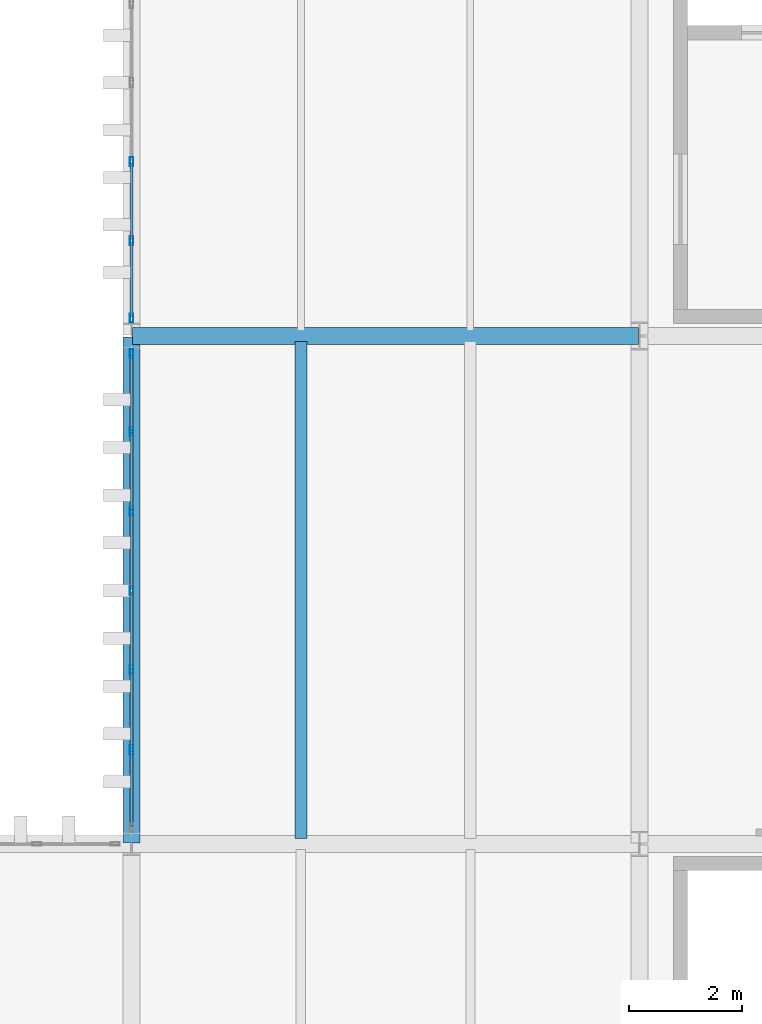
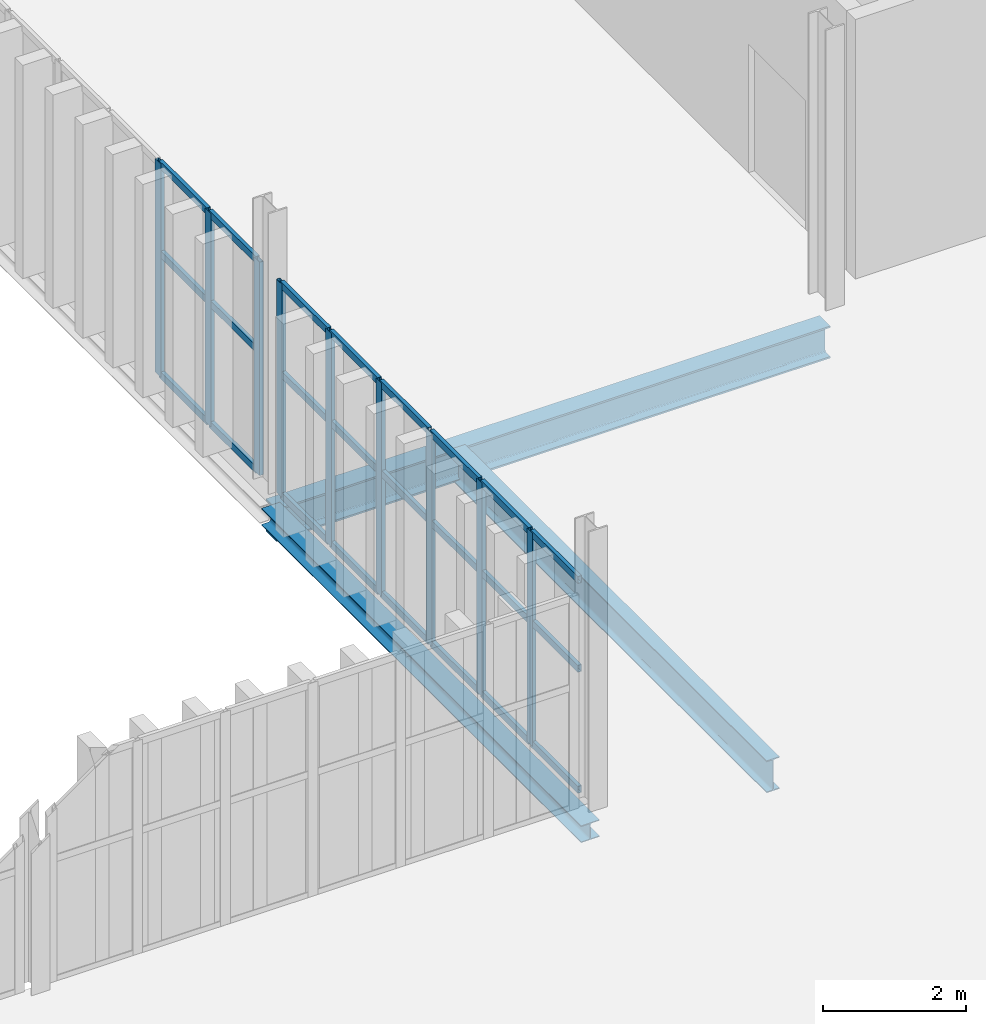
# One storey, part 138 of 196: 33 members, 3 beams, 2 elements without a shape of their own.
"""IFC4 building model written with IfcOpenShell, lengths in metres."""

from ifc_helpers import new_model, si_unit, direction, frame, origin, origin_2d, place, context, subcontext, project, spatial, hollow_rectangle, i_section, extrude, material, layer, layer_set, material_profile, profile_set, type_object, element, aggregate, save


model = new_model("IFC4")

# Units and contexts
model_context = context("Model", 3, precision=1e-05, world=origin(), true_north=direction((0.0, 1.0)))
body_context = subcontext(model_context, "Body", "Model", "MODEL_VIEW")
ifc_project = project(units=[si_unit("LENGTHUNIT", "METRE"), si_unit("AREAUNIT", "SQUARE_METRE"), si_unit("VOLUMEUNIT", "CUBIC_METRE"), si_unit("PLANEANGLEUNIT", "RADIAN"), si_unit("MASSUNIT", "GRAM", prefix="KILO")], contexts=[model_context])

# Site, building, storey
site_placement = place(None, origin())
site = spatial("IfcSite", under=ifc_project, at=site_placement, CompositionType="ELEMENT")
building_placement = place(site_placement, origin())
building = spatial("IfcBuilding", under=site, at=building_placement, Name="Barlavento Convention Centre", CompositionType="ELEMENT")
storey_placement = place(building_placement, frame((0.0, 0.0, 18.0)))
storey = spatial("IfcBuildingStorey", under=building, at=storey_placement, Name="L03", CompositionType="ELEMENT", Elevation=18.0)

# Curtain wall, members
ifc_material_1 = material(Name="Powder-coated aluminium and Low-E glass", Category="aluminium")
ifc_layer = layer(ifc_material_1, 0.179931640625)
ifc_layer_set = layer_set([ifc_layer], Name="ARC-CW-PATIO-B")
curtain_wall_type = type_object("IfcCurtainWallType", Name="ARC-CW-PATIO-B", PredefinedType="NOTDEFINED", material=ifc_layer_set)
curtain_wall_1_placement = place(storey_placement, origin())
curtain_wall_1 = element("IfcCurtainWall", 1, at=curtain_wall_1_placement, inside=storey, type_object=curtain_wall_type, Name="L03 unitised curtain wall CW12", PredefinedType="NOTDEFINED")
ifc_material_2 = material(Name="Powder-coated aluminium", Category="aluminium")
ifc_material_profile_1 = material_profile(ifc_material_2, hollow_rectangle(XDim=0.06005859375, YDim=0.159912109375, WallThickness=0.00390625, at=origin_2d()), Name="AL-MULL 60x160x4")
ifc_profile_set_1 = profile_set([ifc_material_profile_1], Name="Powder-coated aluminium")
member_type_1 = type_object("IfcMemberType", Name="ARC-CWM-60X160", PredefinedType="MULLION", material=ifc_profile_set_1)
member_1_placement = place(storey_placement, frame((171.0, 64.669189453125, 0.0), z_axis=(0.0, 0.0, 1.0), x_axis=(-1.0, 0.0, 0.0)))
member_1 = element("IfcMember", 2, at=member_1_placement, type_object=member_type_1, Name="CW12 mullion 2", PredefinedType="MULLION", context=body_context, shape_type="SweptSolid", body=[
    extrude(hollow_rectangle(XDim=0.06005859375, YDim=0.159912109375, WallThickness=0.00390625, at=origin_2d()), origin(), (0.0, 0.0, 1.0), 3.64990234375),
])
member_2_placement = place(storey_placement, frame((171.0, 66.078369140625, 0.0), z_axis=(0.0, 0.0, 1.0), x_axis=(-1.0, 0.0, 0.0)))
member_2 = element("IfcMember", 3, at=member_2_placement, type_object=member_type_1, Name="CW12 mullion 3", PredefinedType="MULLION", context=body_context, shape_type="SweptSolid", body=[
    extrude(hollow_rectangle(XDim=0.06005859375, YDim=0.159912109375, WallThickness=0.00390625, at=origin_2d()), origin(), (0.0, 0.0, 1.0), 3.64990234375),
])
member_3_placement = place(storey_placement, frame((171.0, 67.487548828125, 0.0), z_axis=(0.0, 0.0, 1.0), x_axis=(-1.0, 0.0, 0.0)))
member_3 = element("IfcMember", 4, at=member_3_placement, type_object=member_type_1, Name="CW12 mullion 4", PredefinedType="MULLION", context=body_context, shape_type="SweptSolid", body=[
    extrude(hollow_rectangle(XDim=0.06005859375, YDim=0.159912109375, WallThickness=0.00390625, at=origin_2d()), origin(), (0.0, 0.0, 1.0), 3.64990234375),
])
member_4_placement = place(storey_placement, frame((171.0, 68.896728515625, 0.0), z_axis=(0.0, 0.0, 1.0), x_axis=(-1.0, 0.0, 0.0)))
member_4 = element("IfcMember", 5, at=member_4_placement, type_object=member_type_1, Name="CW12 mullion 5", PredefinedType="MULLION", context=body_context, shape_type="SweptSolid", body=[
    extrude(hollow_rectangle(XDim=0.06005859375, YDim=0.159912109375, WallThickness=0.00390625, at=origin_2d()), origin(), (0.0, 0.0, 1.0), 3.64990234375),
])
member_5_placement = place(storey_placement, frame((171.0, 70.305908203125, 0.0), z_axis=(0.0, 0.0, 1.0), x_axis=(-1.0, 0.0, 0.0)))
member_5 = element("IfcMember", 6, at=member_5_placement, type_object=member_type_1, Name="CW12 mullion 6", PredefinedType="MULLION", context=body_context, shape_type="SweptSolid", body=[
    extrude(hollow_rectangle(XDim=0.06005859375, YDim=0.159912109375, WallThickness=0.00390625, at=origin_2d()), origin(), (0.0, 0.0, 1.0), 3.64990234375),
])
member_6_placement = place(storey_placement, frame((171.0, 71.68505859375, 0.0), z_axis=(0.0, 0.0, 1.0), x_axis=(-1.0, 0.0, 0.0)))
member_6 = element("IfcMember", 7, at=member_6_placement, type_object=member_type_1, Name="CW12 mullion 7", PredefinedType="MULLION", context=body_context, shape_type="SweptSolid", body=[
    extrude(hollow_rectangle(XDim=0.06005859375, YDim=0.159912109375, WallThickness=0.00390625, at=origin_2d()), origin(), (0.0, 0.0, 1.0), 3.64990234375),
])

curtain_wall_2_placement = place(storey_placement, origin())
curtain_wall_2 = element("IfcCurtainWall", 8, at=curtain_wall_2_placement, inside=storey, type_object=curtain_wall_type, Name="L03 unitised curtain wall CW12", PredefinedType="NOTDEFINED")
member_7_placement = place(storey_placement, frame((171.0, 72.31494140625, 0.0), z_axis=(0.0, 0.0, 1.0), x_axis=(-1.0, 0.0, 0.0)))
member_7 = element("IfcMember", 9, at=member_7_placement, type_object=member_type_1, Name="CW12 mullion 1", PredefinedType="MULLION", context=body_context, shape_type="SweptSolid", body=[
    extrude(hollow_rectangle(XDim=0.06005859375, YDim=0.159912109375, WallThickness=0.00390625, at=origin_2d()), origin(), (0.0, 0.0, 1.0), 3.64990234375),
])
member_8_placement = place(storey_placement, frame((171.0, 73.685791015625, 0.0), z_axis=(0.0, 0.0, 1.0), x_axis=(-1.0, 0.0, 0.0)))
member_8 = element("IfcMember", 10, at=member_8_placement, type_object=member_type_1, Name="CW12 mullion 2", PredefinedType="MULLION", context=body_context, shape_type="SweptSolid", body=[
    extrude(hollow_rectangle(XDim=0.06005859375, YDim=0.159912109375, WallThickness=0.00390625, at=origin_2d()), origin(), (0.0, 0.0, 1.0), 3.64990234375),
])
member_9_placement = place(storey_placement, frame((171.0, 75.086669921875, 0.0), z_axis=(0.0, 0.0, 1.0), x_axis=(-1.0, 0.0, 0.0)))
member_9 = element("IfcMember", 11, at=member_9_placement, type_object=member_type_1, Name="CW12 mullion 3", PredefinedType="MULLION", context=body_context, shape_type="SweptSolid", body=[
    extrude(hollow_rectangle(XDim=0.06005859375, YDim=0.159912109375, WallThickness=0.00390625, at=origin_2d()), origin(), (0.0, 0.0, 1.0), 3.64990234375),
])

# Member
ifc_material_profile_2 = material_profile(ifc_material_2, hollow_rectangle(XDim=0.06005859375, YDim=0.1201171875, WallThickness=0.00390625, at=origin_2d()), Name="AL-TRAN 60x120x4")
ifc_profile_set_2 = profile_set([ifc_material_profile_2], Name="Powder-coated aluminium")
member_type_2 = type_object("IfcMemberType", Name="ARC-CWT-60X120", PredefinedType="USERDEFINED", material=ifc_profile_set_2)
member_10_placement = place(storey_placement, frame((171.0, 63.320068359375, 0.030029296875), z_axis=(0.0, 1.0, 0.0), x_axis=(-1.0, 0.0, 0.0)))
member_10 = element("IfcMember", 12, at=member_10_placement, type_object=member_type_2, Name="CW12 transom 1.1", ObjectType="TRANSOM", PredefinedType="USERDEFINED", context=body_context, shape_type="SweptSolid", body=[
    extrude(hollow_rectangle(XDim=0.06005859375, YDim=0.1201171875, WallThickness=0.00390625, at=origin_2d()), origin(), (0.0, 0.0, 1.0), 1.319091796875),
])

member_11_placement = place(storey_placement, frame((171.0, 63.320068359375, 2.10009765625), z_axis=(0.0, 1.0, 0.0), x_axis=(-1.0, 0.0, 0.0)))
member_11 = element("IfcMember", 13, at=member_11_placement, type_object=member_type_2, Name="CW12 transom 1.2", ObjectType="TRANSOM", PredefinedType="USERDEFINED", context=body_context, shape_type="SweptSolid", body=[
    extrude(hollow_rectangle(XDim=0.06005859375, YDim=0.1201171875, WallThickness=0.00390625, at=origin_2d()), origin(), (0.0, 0.0, 1.0), 1.319091796875),
])

member_12_placement = place(storey_placement, frame((171.0, 63.320068359375, 3.6201171875), z_axis=(0.0, 1.0, 0.0), x_axis=(-1.0, 0.0, 0.0)))
member_12 = element("IfcMember", 14, at=member_12_placement, type_object=member_type_2, Name="CW12 transom 1.3", ObjectType="TRANSOM", PredefinedType="USERDEFINED", context=body_context, shape_type="SweptSolid", body=[
    extrude(hollow_rectangle(XDim=0.06005859375, YDim=0.1201171875, WallThickness=0.00390625, at=origin_2d()), origin(), (0.0, 0.0, 1.0), 1.319091796875),
])

member_13_placement = place(storey_placement, frame((171.0, 64.69921875, 0.030029296875), z_axis=(0.0, 1.0, 0.0), x_axis=(-1.0, 0.0, 0.0)))
member_13 = element("IfcMember", 15, at=member_13_placement, type_object=member_type_2, Name="CW12 transom 2.1", ObjectType="TRANSOM", PredefinedType="USERDEFINED", context=body_context, shape_type="SweptSolid", body=[
    extrude(hollow_rectangle(XDim=0.06005859375, YDim=0.1201171875, WallThickness=0.00390625, at=origin_2d()), origin(), (0.0, 0.0, 1.0), 1.34912109375),
])

member_14_placement = place(storey_placement, frame((171.0, 64.69921875, 2.10009765625), z_axis=(0.0, 1.0, 0.0), x_axis=(-1.0, 0.0, 0.0)))
member_14 = element("IfcMember", 16, at=member_14_placement, type_object=member_type_2, Name="CW12 transom 2.2", ObjectType="TRANSOM", PredefinedType="USERDEFINED", context=body_context, shape_type="SweptSolid", body=[
    extrude(hollow_rectangle(XDim=0.06005859375, YDim=0.1201171875, WallThickness=0.00390625, at=origin_2d()), origin(), (0.0, 0.0, 1.0), 1.34912109375),
])

member_15_placement = place(storey_placement, frame((171.0, 64.69921875, 3.6201171875), z_axis=(0.0, 1.0, 0.0), x_axis=(-1.0, 0.0, 0.0)))
member_15 = element("IfcMember", 17, at=member_15_placement, type_object=member_type_2, Name="CW12 transom 2.3", ObjectType="TRANSOM", PredefinedType="USERDEFINED", context=body_context, shape_type="SweptSolid", body=[
    extrude(hollow_rectangle(XDim=0.06005859375, YDim=0.1201171875, WallThickness=0.00390625, at=origin_2d()), origin(), (0.0, 0.0, 1.0), 1.34912109375),
])

member_16_placement = place(storey_placement, frame((171.0, 66.1083984375, 0.030029296875), z_axis=(0.0, 1.0, 0.0), x_axis=(-1.0, 0.0, 0.0)))
member_16 = element("IfcMember", 18, at=member_16_placement, type_object=member_type_2, Name="CW12 transom 3.1", ObjectType="TRANSOM", PredefinedType="USERDEFINED", context=body_context, shape_type="SweptSolid", body=[
    extrude(hollow_rectangle(XDim=0.06005859375, YDim=0.1201171875, WallThickness=0.00390625, at=origin_2d()), origin(), (0.0, 0.0, 1.0), 1.34912109375),
])

member_17_placement = place(storey_placement, frame((171.0, 66.1083984375, 2.10009765625), z_axis=(0.0, 1.0, 0.0), x_axis=(-1.0, 0.0, 0.0)))
member_17 = element("IfcMember", 19, at=member_17_placement, type_object=member_type_2, Name="CW12 transom 3.2", ObjectType="TRANSOM", PredefinedType="USERDEFINED", context=body_context, shape_type="SweptSolid", body=[
    extrude(hollow_rectangle(XDim=0.06005859375, YDim=0.1201171875, WallThickness=0.00390625, at=origin_2d()), origin(), (0.0, 0.0, 1.0), 1.34912109375),
])

member_18_placement = place(storey_placement, frame((171.0, 66.1083984375, 3.6201171875), z_axis=(0.0, 1.0, 0.0), x_axis=(-1.0, 0.0, 0.0)))
member_18 = element("IfcMember", 20, at=member_18_placement, type_object=member_type_2, Name="CW12 transom 3.3", ObjectType="TRANSOM", PredefinedType="USERDEFINED", context=body_context, shape_type="SweptSolid", body=[
    extrude(hollow_rectangle(XDim=0.06005859375, YDim=0.1201171875, WallThickness=0.00390625, at=origin_2d()), origin(), (0.0, 0.0, 1.0), 1.34912109375),
])

member_19_placement = place(storey_placement, frame((171.0, 67.517578125, 0.030029296875), z_axis=(0.0, 1.0, 0.0), x_axis=(-1.0, 0.0, 0.0)))
member_19 = element("IfcMember", 21, at=member_19_placement, type_object=member_type_2, Name="CW12 transom 4.1", ObjectType="TRANSOM", PredefinedType="USERDEFINED", context=body_context, shape_type="SweptSolid", body=[
    extrude(hollow_rectangle(XDim=0.06005859375, YDim=0.1201171875, WallThickness=0.00390625, at=origin_2d()), origin(), (0.0, 0.0, 1.0), 1.34912109375),
])

member_20_placement = place(storey_placement, frame((171.0, 67.517578125, 2.10009765625), z_axis=(0.0, 1.0, 0.0), x_axis=(-1.0, 0.0, 0.0)))
member_20 = element("IfcMember", 22, at=member_20_placement, type_object=member_type_2, Name="CW12 transom 4.2", ObjectType="TRANSOM", PredefinedType="USERDEFINED", context=body_context, shape_type="SweptSolid", body=[
    extrude(hollow_rectangle(XDim=0.06005859375, YDim=0.1201171875, WallThickness=0.00390625, at=origin_2d()), origin(), (0.0, 0.0, 1.0), 1.34912109375),
])

member_21_placement = place(storey_placement, frame((171.0, 67.517578125, 3.6201171875), z_axis=(0.0, 1.0, 0.0), x_axis=(-1.0, 0.0, 0.0)))
member_21 = element("IfcMember", 23, at=member_21_placement, type_object=member_type_2, Name="CW12 transom 4.3", ObjectType="TRANSOM", PredefinedType="USERDEFINED", context=body_context, shape_type="SweptSolid", body=[
    extrude(hollow_rectangle(XDim=0.06005859375, YDim=0.1201171875, WallThickness=0.00390625, at=origin_2d()), origin(), (0.0, 0.0, 1.0), 1.34912109375),
])

member_22_placement = place(storey_placement, frame((171.0, 68.9267578125, 0.030029296875), z_axis=(0.0, 1.0, 0.0), x_axis=(-1.0, 0.0, 0.0)))
member_22 = element("IfcMember", 24, at=member_22_placement, type_object=member_type_2, Name="CW12 transom 5.1", ObjectType="TRANSOM", PredefinedType="USERDEFINED", context=body_context, shape_type="SweptSolid", body=[
    extrude(hollow_rectangle(XDim=0.06005859375, YDim=0.1201171875, WallThickness=0.00390625, at=origin_2d()), origin(), (0.0, 0.0, 1.0), 1.34912109375),
])

member_23_placement = place(storey_placement, frame((171.0, 68.9267578125, 2.10009765625), z_axis=(0.0, 1.0, 0.0), x_axis=(-1.0, 0.0, 0.0)))
member_23 = element("IfcMember", 25, at=member_23_placement, type_object=member_type_2, Name="CW12 transom 5.2", ObjectType="TRANSOM", PredefinedType="USERDEFINED", context=body_context, shape_type="SweptSolid", body=[
    extrude(hollow_rectangle(XDim=0.06005859375, YDim=0.1201171875, WallThickness=0.00390625, at=origin_2d()), origin(), (0.0, 0.0, 1.0), 1.34912109375),
])

member_24_placement = place(storey_placement, frame((171.0, 68.9267578125, 3.6201171875), z_axis=(0.0, 1.0, 0.0), x_axis=(-1.0, 0.0, 0.0)))
member_24 = element("IfcMember", 26, at=member_24_placement, type_object=member_type_2, Name="CW12 transom 5.3", ObjectType="TRANSOM", PredefinedType="USERDEFINED", context=body_context, shape_type="SweptSolid", body=[
    extrude(hollow_rectangle(XDim=0.06005859375, YDim=0.1201171875, WallThickness=0.00390625, at=origin_2d()), origin(), (0.0, 0.0, 1.0), 1.34912109375),
])

member_25_placement = place(storey_placement, frame((171.0, 70.3359375, 0.030029296875), z_axis=(0.0, 1.0, 0.0), x_axis=(-1.0, 0.0, 0.0)))
member_25 = element("IfcMember", 27, at=member_25_placement, type_object=member_type_2, Name="CW12 transom 6.1", ObjectType="TRANSOM", PredefinedType="USERDEFINED", context=body_context, shape_type="SweptSolid", body=[
    extrude(hollow_rectangle(XDim=0.06005859375, YDim=0.1201171875, WallThickness=0.00390625, at=origin_2d()), origin(), (0.0, 0.0, 1.0), 1.319091796875),
])

member_26_placement = place(storey_placement, frame((171.0, 70.3359375, 2.10009765625), z_axis=(0.0, 1.0, 0.0), x_axis=(-1.0, 0.0, 0.0)))
member_26 = element("IfcMember", 28, at=member_26_placement, type_object=member_type_2, Name="CW12 transom 6.2", ObjectType="TRANSOM", PredefinedType="USERDEFINED", context=body_context, shape_type="SweptSolid", body=[
    extrude(hollow_rectangle(XDim=0.06005859375, YDim=0.1201171875, WallThickness=0.00390625, at=origin_2d()), origin(), (0.0, 0.0, 1.0), 1.319091796875),
])

member_27_placement = place(storey_placement, frame((171.0, 70.3359375, 3.6201171875), z_axis=(0.0, 1.0, 0.0), x_axis=(-1.0, 0.0, 0.0)))
member_27 = element("IfcMember", 29, at=member_27_placement, type_object=member_type_2, Name="CW12 transom 6.3", ObjectType="TRANSOM", PredefinedType="USERDEFINED", context=body_context, shape_type="SweptSolid", body=[
    extrude(hollow_rectangle(XDim=0.06005859375, YDim=0.1201171875, WallThickness=0.00390625, at=origin_2d()), origin(), (0.0, 0.0, 1.0), 1.319091796875),
])

aggregate(curtain_wall_1, [member_1, member_2, member_3, member_4, member_5, member_6, member_10, member_11, member_12, member_13, member_14, member_15, member_16, member_17, member_18, member_19, member_20, member_21, member_22, member_23, member_24, member_25, member_26, member_27])

member_28_placement = place(storey_placement, frame((171.0, 72.344970703125, 0.030029296875), z_axis=(0.0, 1.0, 0.0), x_axis=(-1.0, 0.0, 0.0)))
member_28 = element("IfcMember", 30, at=member_28_placement, type_object=member_type_2, Name="CW12 transom 1.1", ObjectType="TRANSOM", PredefinedType="USERDEFINED", context=body_context, shape_type="SweptSolid", body=[
    extrude(hollow_rectangle(XDim=0.06005859375, YDim=0.1201171875, WallThickness=0.00390625, at=origin_2d()), origin(), (0.0, 0.0, 1.0), 1.310791015625),
])

member_29_placement = place(storey_placement, frame((171.0, 72.344970703125, 2.10009765625), z_axis=(0.0, 1.0, 0.0), x_axis=(-1.0, 0.0, 0.0)))
member_29 = element("IfcMember", 31, at=member_29_placement, type_object=member_type_2, Name="CW12 transom 1.2", ObjectType="TRANSOM", PredefinedType="USERDEFINED", context=body_context, shape_type="SweptSolid", body=[
    extrude(hollow_rectangle(XDim=0.06005859375, YDim=0.1201171875, WallThickness=0.00390625, at=origin_2d()), origin(), (0.0, 0.0, 1.0), 1.310791015625),
])

member_30_placement = place(storey_placement, frame((171.0, 72.344970703125, 3.6201171875), z_axis=(0.0, 1.0, 0.0), x_axis=(-1.0, 0.0, 0.0)))
member_30 = element("IfcMember", 32, at=member_30_placement, type_object=member_type_2, Name="CW12 transom 1.3", ObjectType="TRANSOM", PredefinedType="USERDEFINED", context=body_context, shape_type="SweptSolid", body=[
    extrude(hollow_rectangle(XDim=0.06005859375, YDim=0.1201171875, WallThickness=0.00390625, at=origin_2d()), origin(), (0.0, 0.0, 1.0), 1.310791015625),
])

member_31_placement = place(storey_placement, frame((171.0, 73.7158203125, 0.030029296875), z_axis=(0.0, 1.0, 0.0), x_axis=(-1.0, 0.0, 0.0)))
member_31 = element("IfcMember", 33, at=member_31_placement, type_object=member_type_2, Name="CW12 transom 2.1", ObjectType="TRANSOM", PredefinedType="USERDEFINED", context=body_context, shape_type="SweptSolid", body=[
    extrude(hollow_rectangle(XDim=0.06005859375, YDim=0.1201171875, WallThickness=0.00390625, at=origin_2d()), origin(), (0.0, 0.0, 1.0), 1.3408203125),
])

member_32_placement = place(storey_placement, frame((171.0, 73.7158203125, 2.10009765625), z_axis=(0.0, 1.0, 0.0), x_axis=(-1.0, 0.0, 0.0)))
member_32 = element("IfcMember", 34, at=member_32_placement, type_object=member_type_2, Name="CW12 transom 2.2", ObjectType="TRANSOM", PredefinedType="USERDEFINED", context=body_context, shape_type="SweptSolid", body=[
    extrude(hollow_rectangle(XDim=0.06005859375, YDim=0.1201171875, WallThickness=0.00390625, at=origin_2d()), origin(), (0.0, 0.0, 1.0), 1.3408203125),
])

member_33_placement = place(storey_placement, frame((171.0, 73.7158203125, 3.6201171875), z_axis=(0.0, 1.0, 0.0), x_axis=(-1.0, 0.0, 0.0)))
member_33 = element("IfcMember", 35, at=member_33_placement, type_object=member_type_2, Name="CW12 transom 2.3", ObjectType="TRANSOM", PredefinedType="USERDEFINED", context=body_context, shape_type="SweptSolid", body=[
    extrude(hollow_rectangle(XDim=0.06005859375, YDim=0.1201171875, WallThickness=0.00390625, at=origin_2d()), origin(), (0.0, 0.0, 1.0), 1.3408203125),
])

aggregate(curtain_wall_2, [member_7, member_8, member_9, member_28, member_29, member_30, member_31, member_32, member_33])

# Beams
ifc_material_3 = material(Name="Steel S355", Category="steel")
ifc_material_profile_3 = material_profile(ifc_material_3, i_section(OverallWidth=0.2099609375, OverallDepth=0.550048828125, WebThickness=0.010986328125, FlangeThickness=0.01708984375, FilletRadius=0.02392578125, at=origin_2d()), Name="IPE 550")
ifc_profile_set_3 = profile_set([ifc_material_profile_3], Name="Steel S355")
beam_type_1 = type_object("IfcBeamType", Name="STR-BM-JST-IPE550", PredefinedType="JOIST", material=ifc_profile_set_3)
beam_1_placement = place(storey_placement, frame((174.0, 63.094970703125, -0.635009765625), z_axis=(0.0, 1.0, 0.0), x_axis=(-1.0, 0.0, 0.0)))
element("IfcBeam", 36, at=beam_1_placement, inside=storey, type_object=beam_type_1, Name="L03 composite floor joist SJ01", PredefinedType="JOIST", context=body_context, shape_type="SweptSolid", body=[
    extrude(i_section(OverallWidth=0.2099609375, OverallDepth=0.550048828125, WebThickness=0.010986328125, FlangeThickness=0.01708984375, FilletRadius=0.02392578125, at=origin_2d()), origin(), (0.0, 0.0, 1.0), 8.81005859375),
])
ifc_material_profile_4 = material_profile(ifc_material_3, i_section(OverallWidth=0.300048828125, OverallDepth=0.550048828125, WebThickness=0.014892578125, FlangeThickness=0.029052734375, FilletRadius=0.027099609375, at=origin_2d()), Name="HEB 550")
ifc_profile_set_4 = profile_set([ifc_material_profile_4], Name="Steel S355")
beam_type_2 = type_object("IfcBeamType", Name="STR-BM-PRI-HEB550", PredefinedType="BEAM", material=ifc_profile_set_4)
beam_2_placement = place(storey_placement, frame((171.02001953125, 72.0, -0.635009765625), z_axis=(1.0, 0.0, 0.0), x_axis=(0.0, 1.0, 0.0)))
element("IfcBeam", 37, at=beam_2_placement, inside=storey, type_object=beam_type_2, Name="L03 primary girder BG08", PredefinedType="BEAM", context=body_context, shape_type="SweptSolid", body=[
    extrude(i_section(OverallWidth=0.300048828125, OverallDepth=0.550048828125, WebThickness=0.014892578125, FlangeThickness=0.029052734375, FilletRadius=0.027099609375, at=origin_2d()), origin(), (0.0, 0.0, 1.0), 8.9599609375),
])
ifc_material_profile_5 = material_profile(ifc_material_3, i_section(OverallWidth=0.300048828125, OverallDepth=0.2900390625, WebThickness=0.008544921875, FlangeThickness=0.013916015625, FilletRadius=0.027099609375, at=origin_2d()), Name="HEA 300")
ifc_profile_set_5 = profile_set([ifc_material_profile_5], Name="Steel S355")
beam_type_3 = type_object("IfcBeamType", Name="STR-BM-SPN-HEA300", PredefinedType="SPANDREL", material=ifc_profile_set_5)
beam_3_placement = place(storey_placement, frame((171.0, 63.02001953125, -0.5048828125), z_axis=(0.0, 1.0, 0.0), x_axis=(-1.0, 0.0, 0.0)))
element("IfcBeam", 38, at=beam_3_placement, inside=storey, type_object=beam_type_3, Name="L03 grid girder SP02", PredefinedType="SPANDREL", context=body_context, shape_type="SweptSolid", body=[
    extrude(i_section(OverallWidth=0.300048828125, OverallDepth=0.2900390625, WebThickness=0.008544921875, FlangeThickness=0.013916015625, FilletRadius=0.027099609375, at=origin_2d()), origin(), (0.0, 0.0, 1.0), 8.9599609375),
])

save(model, "model.ifc")
